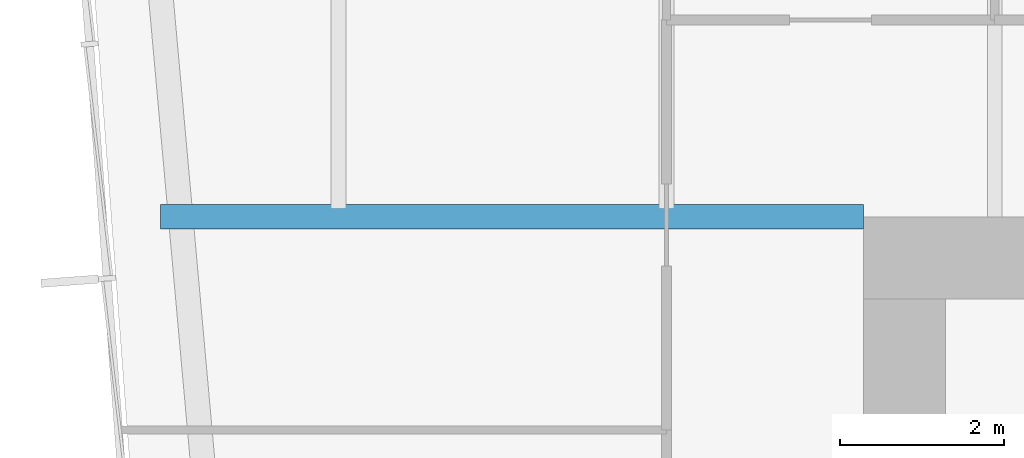
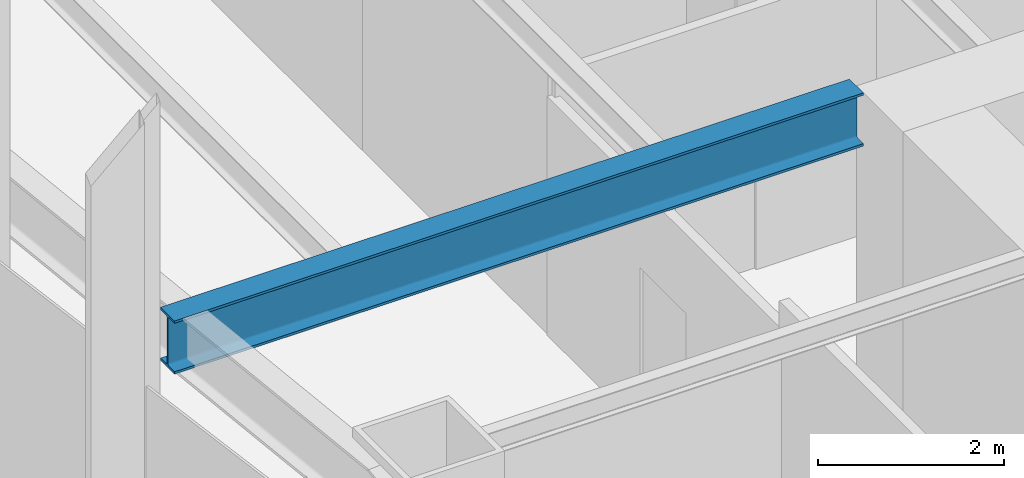
# One storey, part 3 of 13: 1 beam.
"""IFC4 building model written with IfcOpenShell, lengths in metres."""

import ifcopenshell
import ifcopenshell.guid

model = None  # the IFC model being written
_history = None  # IfcOwnerHistory: only IFC2X3 demands one
_inside = {}  # id of a spatial element -> (the spatial element, [elements in it])
_under = {}  # id of a project, library or spatial element -> (it, [spatial elements below it])
_declared = {}  # id of a project -> (the project, [libraries it declares])
_typed = {}  # id of a type object -> (the type object, [elements of that type])
_made_of = {}  # id of a material, layer set ... -> (it, [elements and type objects made of it])


def new_model(schema):
    """Start an empty IFC model of exactly this schema.

    Asked for "IFC4X3", IfcOpenShell would pick the latest addendum, in which some entities
    have other attributes; the version numbers below select the first issue.
    IFC2X3 requires an IfcOwnerHistory on every rooted entity: one is made here for all.
    """
    global model, _history
    if schema == "IFC4X3":
        model = ifcopenshell.file(schema_version=(4, 3, 0, 0))
    else:
        model = ifcopenshell.file(schema=schema)
    _inside.clear()
    _under.clear()
    _declared.clear()
    _typed.clear()
    _made_of.clear()
    _history = None
    if model.schema == "IFC2X3":
        org = make("IfcOrganization", Name="unknown")
        user = make(
            "IfcPersonAndOrganization",
            ThePerson=make("IfcPerson", FamilyName="unknown"),
            TheOrganization=org,
        )
        app = make(
            "IfcApplication",
            ApplicationDeveloper=org,
            Version="unknown",
            ApplicationFullName="unknown",
            ApplicationIdentifier="unknown",
        )
        _history = make(
            "IfcOwnerHistory",
            OwningUser=user,
            OwningApplication=app,
            ChangeAction="ADDED",
            CreationDate=0,
        )
    return model


def make(cls, **values):
    """One entity of the class cls with the attributes given. An attribute that is None is left unset."""
    return model.create_entity(
        cls, **{name: value for name, value in values.items() if value is not None}
    )


def rooted(cls, **values):
    """An entity with a GlobalId (a new one), such as an element, a storey or a relation."""
    return make(cls, GlobalId=ifcopenshell.guid.new(), OwnerHistory=_history, **values)


def si_unit(unit_type, name, prefix=None):
    """IfcSIUnit, for example si_unit("LENGTHUNIT", "METRE", prefix="MILLI")."""
    return make("IfcSIUnit", UnitType=unit_type, Prefix=prefix, Name=name)


def assignment(units):
    """IfcUnitAssignment: the units of a project."""
    return None if units is None else make("IfcUnitAssignment", Units=units)


def point(xyz):
    """IfcCartesianPoint."""
    return None if xyz is None else make("IfcCartesianPoint", Coordinates=xyz)


def direction(xyz):
    """IfcDirection."""
    return None if xyz is None else make("IfcDirection", DirectionRatios=xyz)


def frame(location, z_axis=None, x_axis=None):
    """IfcAxis2Placement3D, a coordinate frame: its origin and axes. An axis left out is left unset."""
    return make(
        "IfcAxis2Placement3D",
        Location=point(location),
        Axis=direction(z_axis),
        RefDirection=direction(x_axis),
    )


def frame_2d(location, x_axis=None):
    """IfcAxis2Placement2D, a coordinate frame in the plane: its origin and x axis."""
    return make(
        "IfcAxis2Placement2D", Location=point(location), RefDirection=direction(x_axis)
    )


def origin():
    """The frame at (0, 0, 0) with its axes left unset."""
    return frame((0.0, 0.0, 0.0))


def origin_2d():
    """The frame at (0, 0) in the plane with its x axis left unset."""
    return frame_2d((0.0, 0.0))


def place(relative_to, where):
    """IfcLocalPlacement: puts the frame where relative to a parent placement (None: the world)."""
    return make(
        "IfcLocalPlacement", PlacementRelTo=relative_to, RelativePlacement=where
    )


def context(
    kind, dimensions, precision=None, world=None, true_north=None, identifier=None
):
    """IfcGeometricRepresentationContext, for example the 3D "Model" context."""
    return make(
        "IfcGeometricRepresentationContext",
        ContextIdentifier=identifier,
        ContextType=kind,
        CoordinateSpaceDimension=dimensions,
        Precision=precision,
        WorldCoordinateSystem=world,
        TrueNorth=true_north,
    )


def subcontext(parent, identifier, kind, view, scale=None):
    """IfcGeometricRepresentationSubContext, for example "Body" below "Model"."""
    return make(
        "IfcGeometricRepresentationSubContext",
        ContextIdentifier=identifier,
        ContextType=kind,
        ParentContext=parent,
        TargetScale=scale,
        TargetView=view,
    )


def project(units=None, contexts=None):
    """IfcProject with its units and contexts."""
    return rooted(
        "IfcProject",
        Name="project",
        RepresentationContexts=contexts,
        UnitsInContext=assignment(units),
    )


def spatial(cls, under=None, at=None, **own):
    """A site, building, storey or space (cls), placed at a placement, below another one or the project."""
    s = rooted(cls, ObjectPlacement=at, **own)
    if under is not None:
        _under.setdefault(under.id(), (under, []))[1].append(s)
    return s


def profile(cls, at=None, kind="AREA", **sizes):
    """A parametric profile (cls). Its sizes go by their IFC names, for example OverallWidth=200.0."""
    return make(cls, ProfileType=kind, Position=at, **sizes)


def i_section(**sizes):
    """IfcIShapeProfileDef."""
    return profile("IfcIShapeProfileDef", **sizes)


def extrude(swept, where, along, depth):
    """IfcExtrudedAreaSolid: the profile swept, set in the frame where, extruded along a direction by depth."""
    return make(
        "IfcExtrudedAreaSolid",
        SweptArea=swept,
        Position=where,
        ExtrudedDirection=direction(along),
        Depth=depth,
    )


def shape(context_of_items, identifier, shape_type, items):
    """IfcShapeRepresentation: the items that make up one representation, for example the "Body"."""
    return make(
        "IfcShapeRepresentation",
        ContextOfItems=context_of_items,
        RepresentationIdentifier=identifier,
        RepresentationType=shape_type,
        Items=items,
    )


def material(Name=None, Category=None):
    """IfcMaterial."""
    return make("IfcMaterial", Name=Name, Category=Category)


def material_profile(
    of_material, cross_section, Name=None, Category=None, Priority=None
):
    """IfcMaterialProfile: a cross section and its material."""
    return make(
        "IfcMaterialProfile",
        Name=Name,
        Material=of_material,
        Profile=cross_section,
        Priority=Priority,
        Category=Category,
    )


def profile_set(profiles, Name=None, composite=None):
    """IfcMaterialProfileSet."""
    return make(
        "IfcMaterialProfileSet",
        Name=Name,
        MaterialProfiles=profiles,
        CompositeProfile=composite,
    )


def made_of(thing, what):
    """Note that an element or type object is made of a material, layer set ...; save() writes the relation."""
    if what is not None:
        _made_of.setdefault(what.id(), (what, []))[1].append(thing)
    return thing


def type_object(cls, material=None, **own):
    """A type object (cls), such as IfcWallType, which elements share."""
    return made_of(rooted(cls, **own), material)


def element(
    cls,
    number,
    at=None,
    inside=None,
    cuts=None,
    type_object=None,
    material=None,
    context=None,
    identifier="Body",
    shape_type=None,
    held_by="IfcProductDefinitionShape",
    body=None,
    shapes=None,
    **own,
):
    """One element of the class cls, such as IfcWall. Its Tag is "e" and its number.

    at: its placement. inside: the storey or other place that contains it. cuts: it is an
    opening in that element (IfcRelVoidsElement). A single representation is given by context,
    identifier, shape_type and body (its items); several are given by shapes. held_by: the class
    of the entity that holds the representations. save() writes the other relations.
    """
    e = rooted(cls, Tag="e%d" % number, ObjectPlacement=at, **own)
    if body is not None:
        shapes = [shape(context, identifier, shape_type, body)]
    if shapes is not None:
        e.Representation = make(held_by, Representations=shapes)
    if inside is not None:
        _inside.setdefault(inside.id(), (inside, []))[1].append(e)
    if cuts is not None:
        rooted(
            "IfcRelVoidsElement", RelatingBuildingElement=cuts, RelatedOpeningElement=e
        )
    if type_object is not None:
        _typed.setdefault(type_object.id(), (type_object, []))[1].append(e)
    return made_of(e, material)


def aggregate(whole, parts):
    """IfcRelAggregates: a whole, such as a stair, and the parts it consists of."""
    return rooted("IfcRelAggregates", RelatingObject=whole, RelatedObjects=parts)


def save(model, path):
    """Write the relations noted so far, then the file.

    IfcRelAggregates (storeys below a building ...), IfcRelContainedInSpatialStructure (elements
    in a storey), IfcRelDefinesByType, IfcRelAssociatesMaterial and IfcRelDeclares: one each for
    every whole, place, type object, material and project.
    """
    for whole, parts in _under.values():
        aggregate(whole, parts)
    for where, things in _inside.values():
        rooted(
            "IfcRelContainedInSpatialStructure",
            RelatedElements=things,
            RelatingStructure=where,
        )
    for kind, things in _typed.values():
        rooted("IfcRelDefinesByType", RelatedObjects=things, RelatingType=kind)
    for what, things in _made_of.values():
        rooted("IfcRelAssociatesMaterial", RelatedObjects=things, RelatingMaterial=what)
    for by, libraries in _declared.values():
        rooted("IfcRelDeclares", RelatingContext=by, RelatedDefinitions=libraries)
    model.write(path)


model = new_model("IFC4")

# Units and contexts
model_context = context("Model", 3, precision=1e-05, world=origin(), true_north=direction((0.0, 1.0)))
body_context = subcontext(model_context, "Body", "Model", "MODEL_VIEW")
ifc_project = project(units=[si_unit("LENGTHUNIT", "METRE"), si_unit("AREAUNIT", "SQUARE_METRE"), si_unit("VOLUMEUNIT", "CUBIC_METRE"), si_unit("PLANEANGLEUNIT", "RADIAN"), si_unit("MASSUNIT", "GRAM", prefix="KILO")], contexts=[model_context])

# Site, building, storey
site_placement = place(None, origin())
site = spatial("IfcSite", under=ifc_project, at=site_placement, CompositionType="ELEMENT")
building_placement = place(site_placement, origin())
building = spatial("IfcBuilding", under=site, at=building_placement, Name="Verdant Reach Tower", CompositionType="ELEMENT")
storey_placement = place(building_placement, frame((0.0, 0.0, 126.0)))
storey = spatial("IfcBuildingStorey", under=building, at=storey_placement, Name="L28", CompositionType="ELEMENT", Elevation=126.0)

# Beam
ifc_material = material(Name="Steel S355", Category="steel")
ifc_material_profile = material_profile(ifc_material, i_section(OverallWidth=0.300048828125, OverallDepth=0.699951171875, WebThickness=0.01708984375, FlangeThickness=0.031982421875, FilletRadius=0.027099609375, at=origin_2d()), Name="HEB 700")
ifc_profile_set = profile_set([ifc_material_profile], Name="Steel S355")
beam_type = type_object("IfcBeamType", Name="ST-BEAM-HEB700", PredefinedType="BEAM", material=ifc_profile_set)
beam_placement = place(storey_placement, frame((-13.60009765625, 38.60009765625, 3.52001953125), z_axis=(-1.0, 0.0, 0.0), x_axis=(0.0, -1.0, 0.0)))
element("IfcBeam", 1, at=beam_placement, inside=storey, type_object=beam_type, Name="Trimmer beam, L28", PredefinedType="BEAM", context=body_context, shape_type="SweptSolid", body=[
    extrude(i_section(OverallWidth=0.300048828125, OverallDepth=0.699951171875, WebThickness=0.01708984375, FlangeThickness=0.031982421875, FilletRadius=0.027099609375, at=origin_2d()), origin(), (0.0, 0.0, 1.0), 8.568115234375),
])

save(model, "model.ifc")
